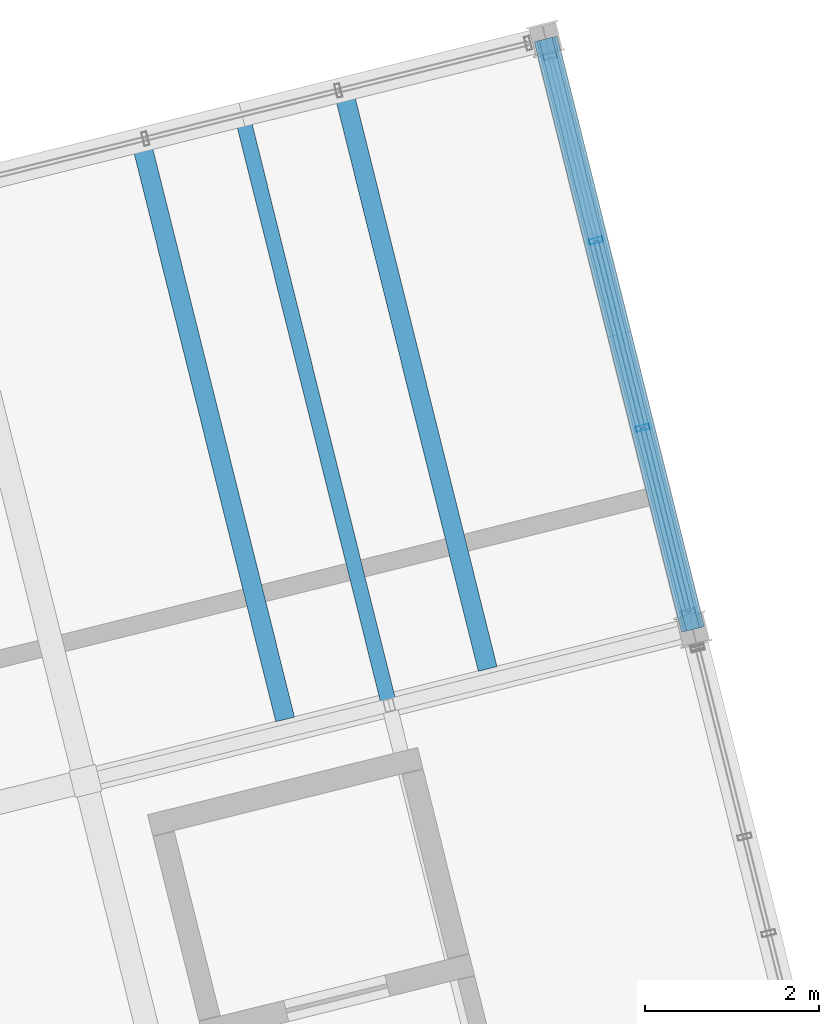
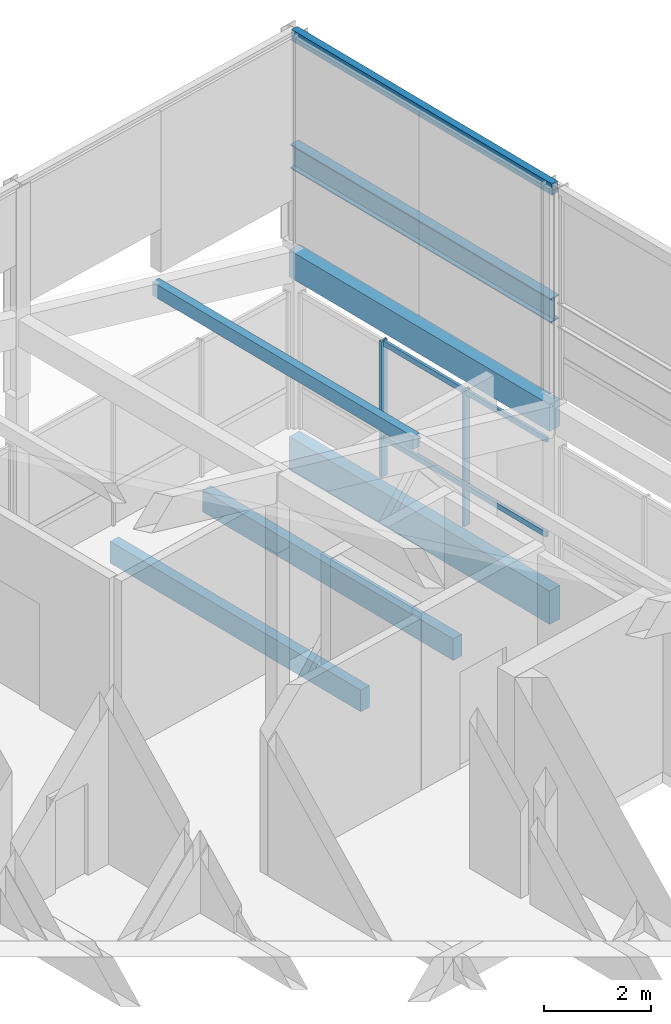
# One storey, part 23 of 31: 7 members, 6 beams, 1 element without a shape of its own.
"""IFC4 building model written with IfcOpenShell, lengths in metres."""

import ifcopenshell
import ifcopenshell.guid

model = None  # the IFC model being written
_history = None  # IfcOwnerHistory: only IFC2X3 demands one
_inside = {}  # id of a spatial element -> (the spatial element, [elements in it])
_under = {}  # id of a project, library or spatial element -> (it, [spatial elements below it])
_declared = {}  # id of a project -> (the project, [libraries it declares])
_typed = {}  # id of a type object -> (the type object, [elements of that type])
_made_of = {}  # id of a material, layer set ... -> (it, [elements and type objects made of it])


def new_model(schema):
    """Start an empty IFC model of exactly this schema.

    Asked for "IFC4X3", IfcOpenShell would pick the latest addendum, in which some entities
    have other attributes; the version numbers below select the first issue.
    IFC2X3 requires an IfcOwnerHistory on every rooted entity: one is made here for all.
    """
    global model, _history
    if schema == "IFC4X3":
        model = ifcopenshell.file(schema_version=(4, 3, 0, 0))
    else:
        model = ifcopenshell.file(schema=schema)
    _inside.clear()
    _under.clear()
    _declared.clear()
    _typed.clear()
    _made_of.clear()
    _history = None
    if model.schema == "IFC2X3":
        org = make("IfcOrganization", Name="unknown")
        user = make(
            "IfcPersonAndOrganization",
            ThePerson=make("IfcPerson", FamilyName="unknown"),
            TheOrganization=org,
        )
        app = make(
            "IfcApplication",
            ApplicationDeveloper=org,
            Version="unknown",
            ApplicationFullName="unknown",
            ApplicationIdentifier="unknown",
        )
        _history = make(
            "IfcOwnerHistory",
            OwningUser=user,
            OwningApplication=app,
            ChangeAction="ADDED",
            CreationDate=0,
        )
    return model


def make(cls, **values):
    """One entity of the class cls with the attributes given. An attribute that is None is left unset."""
    return model.create_entity(
        cls, **{name: value for name, value in values.items() if value is not None}
    )


def rooted(cls, **values):
    """An entity with a GlobalId (a new one), such as an element, a storey or a relation."""
    return make(cls, GlobalId=ifcopenshell.guid.new(), OwnerHistory=_history, **values)


def si_unit(unit_type, name, prefix=None):
    """IfcSIUnit, for example si_unit("LENGTHUNIT", "METRE", prefix="MILLI")."""
    return make("IfcSIUnit", UnitType=unit_type, Prefix=prefix, Name=name)


def assignment(units):
    """IfcUnitAssignment: the units of a project."""
    return None if units is None else make("IfcUnitAssignment", Units=units)


def point(xyz):
    """IfcCartesianPoint."""
    return None if xyz is None else make("IfcCartesianPoint", Coordinates=xyz)


def direction(xyz):
    """IfcDirection."""
    return None if xyz is None else make("IfcDirection", DirectionRatios=xyz)


def frame(location, z_axis=None, x_axis=None):
    """IfcAxis2Placement3D, a coordinate frame: its origin and axes. An axis left out is left unset."""
    return make(
        "IfcAxis2Placement3D",
        Location=point(location),
        Axis=direction(z_axis),
        RefDirection=direction(x_axis),
    )


def frame_2d(location, x_axis=None):
    """IfcAxis2Placement2D, a coordinate frame in the plane: its origin and x axis."""
    return make(
        "IfcAxis2Placement2D", Location=point(location), RefDirection=direction(x_axis)
    )


def origin():
    """The frame at (0, 0, 0) with its axes left unset."""
    return frame((0.0, 0.0, 0.0))


def origin_2d():
    """The frame at (0, 0) in the plane with its x axis left unset."""
    return frame_2d((0.0, 0.0))


def place(relative_to, where):
    """IfcLocalPlacement: puts the frame where relative to a parent placement (None: the world)."""
    return make(
        "IfcLocalPlacement", PlacementRelTo=relative_to, RelativePlacement=where
    )


def context(
    kind, dimensions, precision=None, world=None, true_north=None, identifier=None
):
    """IfcGeometricRepresentationContext, for example the 3D "Model" context."""
    return make(
        "IfcGeometricRepresentationContext",
        ContextIdentifier=identifier,
        ContextType=kind,
        CoordinateSpaceDimension=dimensions,
        Precision=precision,
        WorldCoordinateSystem=world,
        TrueNorth=true_north,
    )


def subcontext(parent, identifier, kind, view, scale=None):
    """IfcGeometricRepresentationSubContext, for example "Body" below "Model"."""
    return make(
        "IfcGeometricRepresentationSubContext",
        ContextIdentifier=identifier,
        ContextType=kind,
        ParentContext=parent,
        TargetScale=scale,
        TargetView=view,
    )


def project(units=None, contexts=None):
    """IfcProject with its units and contexts."""
    return rooted(
        "IfcProject",
        Name="project",
        RepresentationContexts=contexts,
        UnitsInContext=assignment(units),
    )


def spatial(cls, under=None, at=None, **own):
    """A site, building, storey or space (cls), placed at a placement, below another one or the project."""
    s = rooted(cls, ObjectPlacement=at, **own)
    if under is not None:
        _under.setdefault(under.id(), (under, []))[1].append(s)
    return s


def profile(cls, at=None, kind="AREA", **sizes):
    """A parametric profile (cls). Its sizes go by their IFC names, for example OverallWidth=200.0."""
    return make(cls, ProfileType=kind, Position=at, **sizes)


def rectangle(**sizes):
    """IfcRectangleProfileDef."""
    return profile("IfcRectangleProfileDef", **sizes)


def hollow_rectangle(**sizes):
    """IfcRectangleHollowProfileDef."""
    return profile("IfcRectangleHollowProfileDef", **sizes)


def i_section(**sizes):
    """IfcIShapeProfileDef."""
    return profile("IfcIShapeProfileDef", **sizes)


def extrude(swept, where, along, depth):
    """IfcExtrudedAreaSolid: the profile swept, set in the frame where, extruded along a direction by depth."""
    return make(
        "IfcExtrudedAreaSolid",
        SweptArea=swept,
        Position=where,
        ExtrudedDirection=direction(along),
        Depth=depth,
    )


def shape(context_of_items, identifier, shape_type, items):
    """IfcShapeRepresentation: the items that make up one representation, for example the "Body"."""
    return make(
        "IfcShapeRepresentation",
        ContextOfItems=context_of_items,
        RepresentationIdentifier=identifier,
        RepresentationType=shape_type,
        Items=items,
    )


def material(Name=None, Category=None):
    """IfcMaterial."""
    return make("IfcMaterial", Name=Name, Category=Category)


def layer(
    of_material, thickness, ventilated=None, Name=None, Category=None, Priority=None
):
    """IfcMaterialLayer: one layer of a wall or slab, of a material (None: an air gap)."""
    return make(
        "IfcMaterialLayer",
        Material=of_material,
        LayerThickness=thickness,
        IsVentilated=ventilated,
        Name=Name,
        Category=Category,
        Priority=Priority,
    )


def layer_set(layers, Name=None):
    """IfcMaterialLayerSet."""
    return make("IfcMaterialLayerSet", MaterialLayers=layers, LayerSetName=Name)


def material_profile(
    of_material, cross_section, Name=None, Category=None, Priority=None
):
    """IfcMaterialProfile: a cross section and its material."""
    return make(
        "IfcMaterialProfile",
        Name=Name,
        Material=of_material,
        Profile=cross_section,
        Priority=Priority,
        Category=Category,
    )


def profile_set(profiles, Name=None, composite=None):
    """IfcMaterialProfileSet."""
    return make(
        "IfcMaterialProfileSet",
        Name=Name,
        MaterialProfiles=profiles,
        CompositeProfile=composite,
    )


def made_of(thing, what):
    """Note that an element or type object is made of a material, layer set ...; save() writes the relation."""
    if what is not None:
        _made_of.setdefault(what.id(), (what, []))[1].append(thing)
    return thing


def type_object(cls, material=None, **own):
    """A type object (cls), such as IfcWallType, which elements share."""
    return made_of(rooted(cls, **own), material)


def element(
    cls,
    number,
    at=None,
    inside=None,
    cuts=None,
    type_object=None,
    material=None,
    context=None,
    identifier="Body",
    shape_type=None,
    held_by="IfcProductDefinitionShape",
    body=None,
    shapes=None,
    **own,
):
    """One element of the class cls, such as IfcWall. Its Tag is "e" and its number.

    at: its placement. inside: the storey or other place that contains it. cuts: it is an
    opening in that element (IfcRelVoidsElement). A single representation is given by context,
    identifier, shape_type and body (its items); several are given by shapes. held_by: the class
    of the entity that holds the representations. save() writes the other relations.
    """
    e = rooted(cls, Tag="e%d" % number, ObjectPlacement=at, **own)
    if body is not None:
        shapes = [shape(context, identifier, shape_type, body)]
    if shapes is not None:
        e.Representation = make(held_by, Representations=shapes)
    if inside is not None:
        _inside.setdefault(inside.id(), (inside, []))[1].append(e)
    if cuts is not None:
        rooted(
            "IfcRelVoidsElement", RelatingBuildingElement=cuts, RelatedOpeningElement=e
        )
    if type_object is not None:
        _typed.setdefault(type_object.id(), (type_object, []))[1].append(e)
    return made_of(e, material)


def aggregate(whole, parts):
    """IfcRelAggregates: a whole, such as a stair, and the parts it consists of."""
    return rooted("IfcRelAggregates", RelatingObject=whole, RelatedObjects=parts)


def save(model, path):
    """Write the relations noted so far, then the file.

    IfcRelAggregates (storeys below a building ...), IfcRelContainedInSpatialStructure (elements
    in a storey), IfcRelDefinesByType, IfcRelAssociatesMaterial and IfcRelDeclares: one each for
    every whole, place, type object, material and project.
    """
    for whole, parts in _under.values():
        aggregate(whole, parts)
    for where, things in _inside.values():
        rooted(
            "IfcRelContainedInSpatialStructure",
            RelatedElements=things,
            RelatingStructure=where,
        )
    for kind, things in _typed.values():
        rooted("IfcRelDefinesByType", RelatedObjects=things, RelatingType=kind)
    for what, things in _made_of.values():
        rooted("IfcRelAssociatesMaterial", RelatedObjects=things, RelatingMaterial=what)
    for by, libraries in _declared.values():
        rooted("IfcRelDeclares", RelatingContext=by, RelatedDefinitions=libraries)
    model.write(path)


model = new_model("IFC4")

# Units and contexts
model_context = context("Model", 3, precision=1e-05, world=origin(), true_north=direction((0.0, 1.0)))
body_context = subcontext(model_context, "Body", "Model", "MODEL_VIEW")
ifc_project = project(units=[si_unit("LENGTHUNIT", "METRE"), si_unit("AREAUNIT", "SQUARE_METRE"), si_unit("VOLUMEUNIT", "CUBIC_METRE"), si_unit("PLANEANGLEUNIT", "RADIAN"), si_unit("MASSUNIT", "GRAM", prefix="KILO")], contexts=[model_context])

# Site, building, storey
site_placement = place(None, origin())
site = spatial("IfcSite", under=ifc_project, at=site_placement, CompositionType="ELEMENT")
building_placement = place(site_placement, origin())
building = spatial("IfcBuilding", under=site, at=building_placement, Name="Meriwether Solvik Hall", CompositionType="ELEMENT")
storey_placement = place(building_placement, frame((0.0, 0.0, 61.199951171875)))
storey = spatial("IfcBuildingStorey", under=building, at=storey_placement, Name="L15", CompositionType="ELEMENT", Elevation=61.199951171875)

# Beams
ifc_material_1 = material(Name="Glulam Douglas-Fir 24F-V8 GL28h", Category="wood")
ifc_material_profile_1 = material_profile(ifc_material_1, rectangle(XDim=0.27294921875, YDim=0.610107421875, at=origin_2d()), Name="GLB-273X610")
ifc_profile_set_1 = profile_set([ifc_material_profile_1], Name="Glulam Douglas-Fir 24F-V8 GL28h")
beam_type_1 = type_object("IfcBeamType", Name="BM-GL-273X610", PredefinedType="SPANDREL", material=ifc_profile_set_1)
beam_1_placement = place(storey_placement, frame((91.852294921875, 68.640380859375, 3.698974609375), z_axis=(-0.241911879182, 0.970298223594, 0.0), x_axis=(-0.970298223594, -0.241911879182, 0.0)))
element("IfcBeam", 1, at=beam_1_placement, inside=storey, type_object=beam_type_1, Name="Roof Tie Beam T5:TD-TE", PredefinedType="SPANDREL", context=body_context, shape_type="SweptSolid", body=[
    extrude(rectangle(XDim=0.27294921875, YDim=0.610107421875, at=origin_2d()), origin(), (0.0, 0.0, 1.0), 7.0),
])
ifc_material_2 = material(Name="Glulam Douglas-Fir 24F-V8 GL28h", Category="wood")
ifc_material_profile_2 = material_profile(ifc_material_2, rectangle(XDim=0.27294921875, YDim=0.760009765625, at=origin_2d()), Name="GLB-273X760")
ifc_profile_set_2 = profile_set([ifc_material_profile_2], Name="Glulam Douglas-Fir 24F-V8 GL28h")
beam_type_2 = type_object("IfcBeamType", Name="BM-GL-273X760", PredefinedType="BEAM", material=ifc_profile_set_2)
beam_2_placement = place(storey_placement, frame((91.852294921875, 68.640380859375, -0.625), z_axis=(-0.241911879182, 0.970298223594, 0.0), x_axis=(-0.970298223594, -0.241911879182, 0.0)))
element("IfcBeam", 2, at=beam_2_placement, inside=storey, type_object=beam_type_2, Name="Tower Girder T5:TD-TE (L15)", PredefinedType="BEAM", context=body_context, shape_type="SweptSolid", body=[
    extrude(rectangle(XDim=0.27294921875, YDim=0.760009765625, at=origin_2d()), origin(), (0.0, 0.0, 1.0), 7.0),
])
ifc_material_3 = material(Name="Steel A500 Grade C", Category="steel")
ifc_material_profile_3 = material_profile(ifc_material_3, hollow_rectangle(XDim=0.152099609375, YDim=0.25390625, WallThickness=0.009521484375, at=origin_2d()), Name="HSS254X152X9.5")
ifc_profile_set_3 = profile_set([ifc_material_profile_3], Name="Steel A500 Grade C")
beam_type_3 = type_object("IfcBeamType", Name="BM-STL-HSS254", PredefinedType="SPANDREL", material=ifc_profile_set_3)
beam_3_placement = place(storey_placement, frame((91.852294921875, 68.640380859375, 8.873046875), z_axis=(-0.241911879182, 0.970298223594, 0.0), x_axis=(-0.970298223594, -0.241911879182, 0.0)))
element("IfcBeam", 3, at=beam_3_placement, inside=storey, type_object=beam_type_3, Name="Crown Cap Ring Beam T5TD-T5TE", PredefinedType="SPANDREL", context=body_context, shape_type="SweptSolid", body=[
    extrude(hollow_rectangle(XDim=0.152099609375, YDim=0.25390625, WallThickness=0.009521484375, at=origin_2d()), origin(), (0.0, 0.0, 1.0), 7.0),
])
ifc_material_4 = material(Name="Steel A992 Grade 50", Category="steel")
ifc_material_profile_4 = material_profile(ifc_material_4, i_section(OverallWidth=0.214111328125, OverallDepth=0.549072265625, WebThickness=0.0146484375, FlangeThickness=0.023681640625, at=origin_2d()), Name="W21X93")
ifc_profile_set_4 = profile_set([ifc_material_profile_4], Name="Steel A992 Grade 50")
beam_type_4 = type_object("IfcBeamType", Name="BM-STL-W21X93", PredefinedType="SPANDREL", material=ifc_profile_set_4)
beam_4_placement = place(storey_placement, frame((91.852294921875, 68.640380859375, 6.12548828125), z_axis=(-0.241911879182, 0.970298223594, 0.0), x_axis=(-0.970298223594, -0.241911879182, 0.0)))
element("IfcBeam", 4, at=beam_4_placement, inside=storey, type_object=beam_type_4, Name="Crown Wind Girt Beam T5TD-T5TE", PredefinedType="SPANDREL", context=body_context, shape_type="SweptSolid", body=[
    extrude(i_section(OverallWidth=0.214111328125, OverallDepth=0.549072265625, WebThickness=0.0146484375, FlangeThickness=0.023681640625, at=origin_2d()), origin(), (0.0, 0.0, 1.0), 7.0),
])

# Curtain wall, members
ifc_material_5 = material(Name="Thermally Broken Anodised Aluminium 6063-T6 and Low-E Glass", Category="aluminium")
ifc_layer = layer(ifc_material_5, 0.179931640625)
ifc_layer_set = layer_set([ifc_layer], Name="Thermally Broken Anodised Aluminium 6063-T6 and Low-E Glass")
curtain_wall_type = type_object("IfcCurtainWallType", Name="CW-UNIT-C", PredefinedType="USERDEFINED", material=ifc_layer_set)
curtain_wall_placement = place(storey_placement, origin())
curtain_wall = element("IfcCurtainWall", 5, at=curtain_wall_placement, inside=storey, type_object=curtain_wall_type, Name="Curtain Wall E1_B3 (L15)", ObjectType="UNITISED CURTAIN WALL", PredefinedType="USERDEFINED")
ifc_material_6 = material(Name="Anodised Aluminium 6063-T6", Category="aluminium")
ifc_material_profile_5 = material_profile(ifc_material_6, hollow_rectangle(XDim=0.06005859375, YDim=0.159912109375, WallThickness=0.00390625, at=origin_2d()), Name="CWM-60X160")
ifc_profile_set_5 = profile_set([ifc_material_profile_5], Name="Anodised Aluminium 6063-T6")
member_type_1 = type_object("IfcMemberType", Name="CW-MUL-60X160", PredefinedType="MULLION", material=ifc_profile_set_5)
member_1_placement = place(storey_placement, frame((90.737060546875, 73.113525390625, 0.0), z_axis=(0.0, 0.0, 1.0), x_axis=(0.241921925524, -0.970295718815, 0.0)))
member_1 = element("IfcMember", 6, at=member_1_placement, type_object=member_type_1, Name="Curtain Wall Mullion 2", PredefinedType="MULLION", context=body_context, shape_type="SweptSolid", body=[
    extrude(hollow_rectangle(XDim=0.06005859375, YDim=0.159912109375, WallThickness=0.00390625, at=origin_2d()), origin(), (0.0, 0.0, 1.0), 3.10205078125),
])
member_2_placement = place(storey_placement, frame((91.274169921875, 70.959228515625, 0.0), z_axis=(0.0, 0.0, 1.0), x_axis=(0.241921925524, -0.970295718815, 0.0)))
member_2 = element("IfcMember", 7, at=member_2_placement, type_object=member_type_1, Name="Curtain Wall Mullion 3", PredefinedType="MULLION", context=body_context, shape_type="SweptSolid", body=[
    extrude(hollow_rectangle(XDim=0.06005859375, YDim=0.159912109375, WallThickness=0.00390625, at=origin_2d()), origin(), (0.0, 0.0, 1.0), 3.10205078125),
])
ifc_material_7 = material(Name="Anodised Aluminium 6063-T6", Category="aluminium")
ifc_material_profile_6 = material_profile(ifc_material_7, hollow_rectangle(XDim=0.06005859375, YDim=0.1201171875, WallThickness=0.00390625, at=origin_2d()), Name="CWT-60X120")
ifc_profile_set_6 = profile_set([ifc_material_profile_6], Name="Anodised Aluminium 6063-T6")
member_type_2 = type_object("IfcMemberType", Name="CW-TRN-60X120", PredefinedType="USERDEFINED", material=ifc_profile_set_6)
member_3_placement = place(storey_placement, frame((90.737060546875, 73.113525390625, 0.880126953125), z_axis=(0.241914618046, -0.970297540745, 0.0), x_axis=(0.970297540745, 0.241914618046, 0.0)))
member_3 = element("IfcMember", 8, at=member_3_placement, type_object=member_type_2, Name="Curtain Wall Transom 2-sill", ObjectType="TRANSOM", PredefinedType="USERDEFINED", context=body_context, shape_type="SweptSolid", body=[
    extrude(hollow_rectangle(XDim=0.06005859375, YDim=0.1201171875, WallThickness=0.00390625, at=origin_2d()), origin(), (0.0, 0.0, 1.0), 2.22021484375),
])
member_4_placement = place(storey_placement, frame((90.737060546875, 73.113525390625, 3.0419921875), z_axis=(0.241914618046, -0.970297540745, 0.0), x_axis=(0.970297540745, 0.241914618046, 0.0)))
member_4 = element("IfcMember", 9, at=member_4_placement, type_object=member_type_2, Name="Curtain Wall Transom 2-head", ObjectType="TRANSOM", PredefinedType="USERDEFINED", context=body_context, shape_type="SweptSolid", body=[
    extrude(hollow_rectangle(XDim=0.06005859375, YDim=0.1201171875, WallThickness=0.00390625, at=origin_2d()), origin(), (0.0, 0.0, 1.0), 2.22021484375),
])
member_5_placement = place(storey_placement, frame((91.274169921875, 70.959228515625, 0.880126953125), z_axis=(0.241851216689, -0.970313345773, 0.0), x_axis=(0.970313345773, 0.241851216689, 0.0)))
member_5 = element("IfcMember", 10, at=member_5_placement, type_object=member_type_2, Name="Curtain Wall Transom 3-sill", ObjectType="TRANSOM", PredefinedType="USERDEFINED", context=body_context, shape_type="SweptSolid", body=[
    extrude(hollow_rectangle(XDim=0.06005859375, YDim=0.1201171875, WallThickness=0.00390625, at=origin_2d()), origin(), (0.0, 0.0, 1.0), 2.182373046875),
])
member_6_placement = place(storey_placement, frame((91.274169921875, 70.959228515625, 3.0419921875), z_axis=(0.241851216689, -0.970313345773, 0.0), x_axis=(0.970313345773, 0.241851216689, 0.0)))
member_6 = element("IfcMember", 11, at=member_6_placement, type_object=member_type_2, Name="Curtain Wall Transom 3-head", ObjectType="TRANSOM", PredefinedType="USERDEFINED", context=body_context, shape_type="SweptSolid", body=[
    extrude(hollow_rectangle(XDim=0.06005859375, YDim=0.1201171875, WallThickness=0.00390625, at=origin_2d()), origin(), (0.0, 0.0, 1.0), 2.182373046875),
])
aggregate(curtain_wall, [member_1, member_2, member_3, member_4, member_5, member_6])

# Beams
ifc_material_8 = material(Name="Glulam Douglas-Fir 24F-V8 GL28h", Category="wood")
ifc_material_profile_7 = material_profile(ifc_material_8, rectangle(XDim=0.221923828125, YDim=0.4951171875, at=origin_2d()), Name="GLJ-222X495")
ifc_profile_set_7 = profile_set([ifc_material_profile_7], Name="Glulam Douglas-Fir 24F-V8 GL28h")
beam_type_5 = type_object("IfcBeamType", Name="JST-GL-222X495", PredefinedType="JOIST", material=ifc_profile_set_7)
for number, where, z_axis, x_axis, name in (
    (12, (87.1630859375, 67.606689453125, -0.492431640625), (-0.241930176813, 0.9702936615, 0.0), (-0.9702936615, -0.241930176813, 0.0), "Glulam Floor Joist T4/TD-J1 (L15)"),
    (13, (89.49169921875, 68.187255859375, -0.492431640625), (-0.241930176813, 0.9702936615, 0.0), (-0.9702936615, -0.241930176813, 0.0), "Glulam Floor Joist T4/TD-J2 (L15)"),
):
    element("IfcBeam", number, at=place(storey_placement, frame(where, z_axis=z_axis, x_axis=x_axis)), inside=storey, type_object=beam_type_5, Name=name, PredefinedType="JOIST", context=body_context, shape_type="SweptSolid", body=[
        extrude(rectangle(XDim=0.221923828125, YDim=0.4951171875, at=origin_2d()), origin(), (0.0, 0.0, 1.0), 6.737060546875),
    ])

# Member
ifc_material_9 = material(Name="Glulam Douglas-Fir 24F-V8 GL28h", Category="wood")
ifc_material_profile_8 = material_profile(ifc_material_9, rectangle(XDim=0.175048828125, YDim=0.304931640625, at=origin_2d()), Name="GLM-175X305")
ifc_profile_set_8 = profile_set([ifc_material_profile_8], Name="Glulam Douglas-Fir 24F-V8 GL28h")
member_type_3 = type_object("IfcMemberType", Name="MEM-PRL-GL175", PredefinedType="PURLIN", material=ifc_profile_set_8)
member_7_placement = place(storey_placement, frame((88.359130859375, 67.76953125, 4.8515625), z_axis=(-0.241911879182, 0.970298223594, 0.0), x_axis=(-0.970298223594, -0.241911879182, 0.0)))
element("IfcMember", 14, at=member_7_placement, inside=storey, type_object=member_type_3, Name="Tower Roof Glulam Purlin 4.4", PredefinedType="PURLIN", context=body_context, shape_type="SweptSolid", body=[
    extrude(rectangle(XDim=0.175048828125, YDim=0.304931640625, at=origin_2d()), origin(), (0.0, 0.0, 1.0), 7.0),
])

save(model, "model.ifc")
